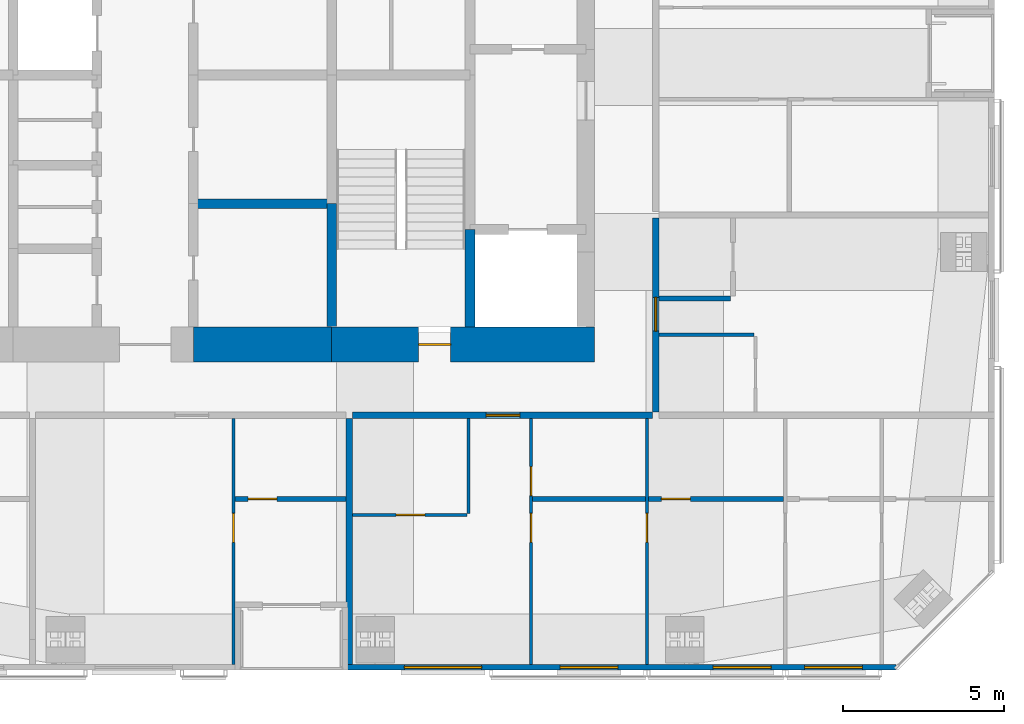
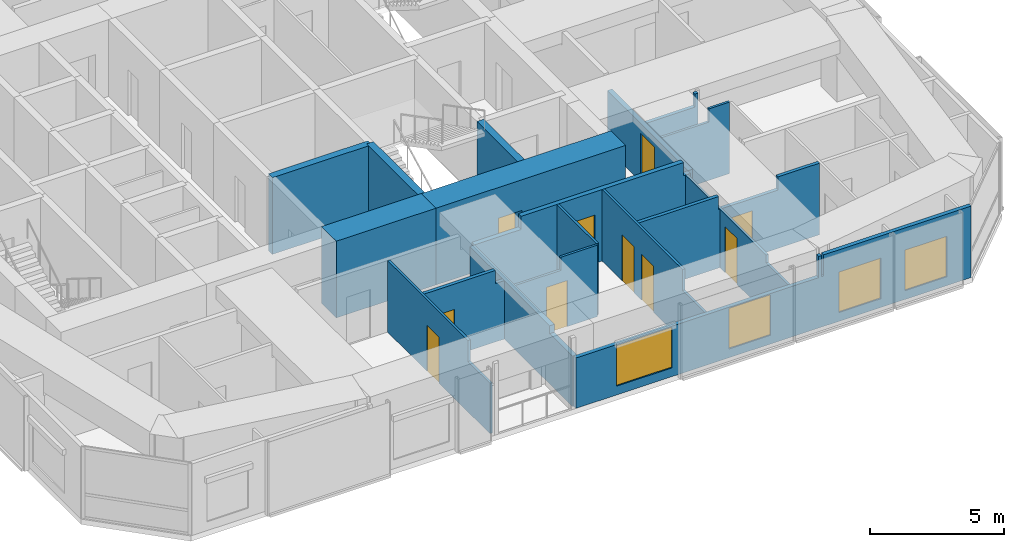
# One storey, part 15 of 20: 19 walls, 10 doors, 4 windows, 14 openings.
"""IFC4 building model written with IfcOpenShell, lengths in metres."""

from ifc_helpers import new_model, si_unit, direction, frame, frame_2d, origin, place, context, subcontext, project, spatial, polyline, rectangle, outline, extrude, material, layer, layer_set, constituent, constituent_set, type_object, element, fill, save


model = new_model("IFC4")

# Units and contexts
model_context = context("Model", 3, precision=1e-05, world=origin(), true_north=direction((0.0, 1.0)))
body_context = subcontext(model_context, "Body", "Model", "MODEL_VIEW")
ifc_project = project(units=[si_unit("LENGTHUNIT", "METRE"), si_unit("AREAUNIT", "SQUARE_METRE"), si_unit("VOLUMEUNIT", "CUBIC_METRE"), si_unit("PLANEANGLEUNIT", "RADIAN"), si_unit("MASSUNIT", "GRAM", prefix="KILO")], contexts=[model_context])

# Site, building, storey
site_placement = place(None, origin())
site = spatial("IfcSite", under=ifc_project, at=site_placement, CompositionType="ELEMENT")
building_placement = place(site_placement, origin())
building = spatial("IfcBuilding", under=site, at=building_placement, Name="Jalousie Tower", CompositionType="ELEMENT")
storey_placement = place(building_placement, frame((0.0, 0.0, 238.949951171875)))
storey = spatial("IfcBuildingStorey", under=building, at=storey_placement, Name="L65", CompositionType="ELEMENT", Elevation=238.949951171875)

# Wall, opening, door
ifc_material_1 = material(Name="Concrete block ASTM C90", Category="concrete")
ifc_constituent_1 = constituent(ifc_material_1, Name="Body")
ifc_material_2 = material(Name="Render")
ifc_constituent_2 = constituent(ifc_material_2, Name="Finish")
ifc_constituent_set_1 = constituent_set(constituents=[ifc_constituent_1, ifc_constituent_2])
wall_type_1 = type_object("IfcWallType", Name="BATHROOM WALL 150", PredefinedType="PLUMBINGWALL", material=ifc_constituent_set_1)
wall_1_placement = place(storey_placement, frame((32.89990234375, 5.324951171875, 0.0), z_axis=(0.0, 0.0, 1.0), x_axis=(1.0, 0.0, 0.0)))
wall_1 = element("IfcWall", 1, at=wall_1_placement, inside=storey, type_object=wall_type_1, Name="Bathroom Wall 150 L65", PredefinedType="PLUMBINGWALL", context=body_context, shape_type="SweptSolid", body=[
    extrude(outline(polyline([(0.0, 0.0), (3.4501953125, 0.0), (3.449951171875, 3.260009765625), (3.449951171875, 2.66015625), (3.06494140625, 2.66015625), (3.06494140625, 3.260009765625), (0.0, 3.260009765625), (0.0, 0.0)])), frame((0.0, 0.074951171875, 0.0), z_axis=(0.0, -1.0, 0.0), x_axis=(1.0, 0.0, 0.0)), (0.0, 0.0, 1.0), 0.14990234375),
])
opening_1_placement = place(wall_1_placement, frame((0.39990234375, 0.0, 0.0)))
opening_1 = element("IfcOpeningElement", 2, at=opening_1_placement, cuts=wall_1, Name="Opening D3", PredefinedType="OPENING", context=body_context, shape_type="SweptSolid", body=[
    extrude(rectangle(XDim=0.89990234375, YDim=2.10009765625, at=frame_2d((0.449951171875, 1.050048828125))), frame((0.0, 0.0849609375, 0.0), z_axis=(0.0, -1.0, 0.0), x_axis=(1.0, 0.0, 0.0)), (0.0, 0.0, 1.0), 0.169921875),
])
ifc_material_3 = material(Name="Timber door", Category="wood")
door_type_1 = type_object("IfcDoorType", Name="BATHROOM DOOR 900", OperationType="SINGLE_SWING_LEFT", PredefinedType="DOOR", material=ifc_material_3)
door_1_placement = place(opening_1_placement, origin())
door_1 = element("IfcDoor", 3, at=door_1_placement, inside=storey, type_object=door_type_1, Name="Apartment 6502 bedroom 1 bathroom door", OperationType="SINGLE_SWING_LEFT", OverallHeight=2.10009765625, OverallWidth=0.89990234375, PredefinedType="DOOR", context=body_context, shape_type="SweptSolid", body=[
    extrude(rectangle(XDim=0.89990234375, YDim=2.10009765625, at=frame_2d((0.449951171875, 1.050048828125))), frame((0.0, 0.02490234375, 0.0), z_axis=(0.0, -1.0, 0.0), x_axis=(1.0, 0.0, 0.0)), (0.0, 0.0, 1.0), 0.050048828125),
])
fill(opening_1, door_1)

# Wall
wall_2_placement = place(storey_placement, frame((42.14990234375, 5.324951171875, 0.0), z_axis=(0.0, 0.0, 1.0), x_axis=(1.0, 0.0, 0.0)))
element("IfcWall", 4, at=wall_2_placement, inside=storey, type_object=wall_type_1, Name="Bathroom Wall 150 L65", PredefinedType="PLUMBINGWALL", context=body_context, shape_type="SweptSolid", body=[
    extrude(outline(polyline([(0.0, 0.0), (3.5, 0.0), (3.5, 3.260009765625), (3.5, 2.66015625), (3.43994140625, 2.66015625), (3.43994140625, 3.260009765625), (0.0, 3.260009765625), (0.0, 0.0)])), frame((0.0, 0.074951171875, 0.0), z_axis=(0.0, -1.0, 0.0), x_axis=(1.0, 0.0, 0.0)), (0.0, 0.0, 1.0), 0.14990234375),
])

# Wall, opening, door
wall_3_placement = place(storey_placement, frame((45.75, 5.324951171875, 0.0), z_axis=(0.0, 0.0, 1.0), x_axis=(1.0, 0.0, 0.0)))
wall_3 = element("IfcWall", 5, at=wall_3_placement, inside=storey, type_object=wall_type_1, Name="Bathroom Wall 150 L65", PredefinedType="PLUMBINGWALL", context=body_context, shape_type="SweptSolid", body=[
    extrude(outline(polyline([(0.0, 0.0), (4.199951171875, 0.0), (4.199951171875, 3.260009765625), (2.409912109375, 3.260009765625), (2.409912109375, 2.66015625), (0.0, 2.66015625), (0.0, 3.260009765625), (0.0, 0.0)])), frame((0.0, 0.074951171875, 0.0), z_axis=(0.0, -1.0, 0.0), x_axis=(1.0, 0.0, 0.0)), (0.0, 0.0, 1.0), 0.14990234375),
])
opening_2_placement = place(wall_3_placement, frame((0.39990234375, 0.0, 0.0)))
opening_2 = element("IfcOpeningElement", 6, at=opening_2_placement, cuts=wall_3, Name="Opening D3", PredefinedType="OPENING", context=body_context, shape_type="SweptSolid", body=[
    extrude(rectangle(XDim=0.89990234375, YDim=2.10009765625, at=frame_2d((0.449951171875, 1.050048828125))), frame((0.0, 0.0849609375, 0.0), z_axis=(0.0, -1.0, 0.0), x_axis=(1.0, 0.0, 0.0)), (0.0, 0.0, 1.0), 0.169921875),
])
door_2_placement = place(opening_2_placement, origin())
door_2 = element("IfcDoor", 7, at=door_2_placement, inside=storey, type_object=door_type_1, Name="Apartment 6503 bedroom 2 bathroom door", OperationType="SINGLE_SWING_LEFT", OverallHeight=2.10009765625, OverallWidth=0.89990234375, PredefinedType="DOOR", context=body_context, shape_type="SweptSolid", body=[
    extrude(rectangle(XDim=0.89990234375, YDim=2.10009765625, at=frame_2d((0.449951171875, 1.050048828125))), frame((0.0, 0.02490234375, 0.0), z_axis=(0.0, -1.0, 0.0), x_axis=(1.0, 0.0, 0.0)), (0.0, 0.0, 1.0), 0.050048828125),
])
fill(opening_2, door_2)

# Walls
wall_4_placement = place(storey_placement, frame((48.300048828125, 11.550048828125, 0.0), z_axis=(0.0, 0.0, 1.0), x_axis=(-1.0, 0.0, 0.0)))
element("IfcWall", 8, at=wall_4_placement, inside=storey, type_object=wall_type_1, Name="Bathroom Wall 150 L65", PredefinedType="PLUMBINGWALL", context=body_context, shape_type="SweptSolid", body=[
    extrude(outline(polyline([(0.0, 0.0), (2.22509765625, 0.0), (2.22509765625, 3.260009765625), (2.22509765625, 2.66015625), (0.139892578125, 2.66015625), (0.139892578125, 3.260009765625), (0.0, 3.260009765625), (0.0, 0.0)])), frame((0.0, 0.074951171875, 0.0), z_axis=(0.0, -1.0, 0.0), x_axis=(1.0, 0.0, 0.0)), (0.0, 0.0, 1.0), 0.14990234375),
])
ifc_material_4 = material(Name="Concrete f'c 120 MPa", Category="concrete")
ifc_layer_1 = layer(ifc_material_4, 1.10009765625)
ifc_layer_set_1 = layer_set([ifc_layer_1], Name="Concrete f'c 120 MPa")
wall_type_2 = type_object("IfcWallType", Name="CORE WALL 1100", PredefinedType="SHEAR", material=ifc_layer_set_1)
wall_5_placement = place(storey_placement, frame((31.60009765625, 10.125, 0.0), z_axis=(0.0, 0.0, 1.0), x_axis=(1.0, 0.0, 0.0)))
element("IfcWall", 9, at=wall_5_placement, inside=storey, type_object=wall_type_2, Name="Core wall SC L65", PredefinedType="SHEAR", context=body_context, shape_type="SweptSolid", body=[
    extrude(rectangle(XDim=4.2998046875, YDim=1.10009765625, at=frame_2d((2.14990234375, 0.0))), origin(), (0.0, 0.0, 1.0), 3.5),
])

# Wall, opening, door
wall_6_placement = place(storey_placement, frame((35.89990234375, 10.125, 0.0), z_axis=(0.0, 0.0, 1.0), x_axis=(1.0, 0.0, 0.0)))
wall_6 = element("IfcWall", 10, at=wall_6_placement, inside=storey, type_object=wall_type_2, Name="Core wall SD L65", PredefinedType="SHEAR", context=body_context, shape_type="SweptSolid", body=[
    extrude(rectangle(XDim=8.175048828125, YDim=1.10009765625, at=frame_2d((4.08740234375, 0.0))), origin(), (0.0, 0.0, 1.0), 3.5),
])
opening_3_placement = place(wall_6_placement, frame((2.699951171875, 0.0, 0.0)))
opening_3 = element("IfcOpeningElement", 11, at=opening_3_placement, cuts=wall_6, Name="Opening D10", PredefinedType="OPENING", context=body_context, shape_type="SweptSolid", body=[
    extrude(rectangle(XDim=1.0, YDim=2.10009765625, at=frame_2d((0.5, 1.050048828125))), frame((0.0, 0.56005859375, 0.0), z_axis=(0.0, -1.0, 0.0), x_axis=(1.0, 0.0, 0.0)), (0.0, 0.0, 1.0), 1.1201171875),
])
ifc_material_5 = material(Name="Steel fire door", Category="steel")
door_type_2 = type_object("IfcDoorType", Name="STAIR DOOR 1000", OperationType="SINGLE_SWING_LEFT", PredefinedType="DOOR", material=ifc_material_5)
door_3_placement = place(opening_3_placement, origin())
door_3 = element("IfcDoor", 12, at=door_3_placement, inside=storey, type_object=door_type_2, Name="Exit stair C door", OperationType="SINGLE_SWING_RIGHT", OverallHeight=2.10009765625, OverallWidth=1.0, PredefinedType="DOOR", context=body_context, shape_type="SweptSolid", body=[
    extrude(rectangle(XDim=1.0, YDim=2.10009765625, at=frame_2d((0.5, 1.050048828125))), frame((0.0, 0.02490234375, 0.0), z_axis=(0.0, -1.0, 0.0), x_axis=(1.0, 0.0, 0.0)), (0.0, 0.0, 1.0), 0.050048828125),
])
fill(opening_3, door_3)

# Walls
ifc_material_6 = material(Name="Concrete f'c 120 MPa", Category="concrete")
ifc_layer_2 = layer(ifc_material_6, 0.300048828125)
ifc_layer_set_2 = layer_set([ifc_layer_2], Name="Concrete f'c 120 MPa")
wall_type_3 = type_object("IfcWallType", Name="CORE WALL 300", PredefinedType="SHEAR", material=ifc_layer_set_2)
wall_7_placement = place(storey_placement, frame((35.89990234375, 10.675048828125, 0.0), z_axis=(0.0, 0.0, 1.0), x_axis=(0.0, 1.0, 0.0)))
element("IfcWall", 13, at=wall_7_placement, inside=storey, type_object=wall_type_3, Name="Core wall X35.9A L65", PredefinedType="SHEAR", context=body_context, shape_type="SweptSolid", body=[
    extrude(rectangle(XDim=3.824951171875, YDim=0.300048828125, at=frame_2d((1.91259765625, 0.0))), origin(), (0.0, 0.0, 1.0), 3.5),
])
wall_8_placement = place(storey_placement, frame((40.199951171875, 10.675048828125, 0.0), z_axis=(0.0, 0.0, 1.0), x_axis=(0.0, 1.0, 0.0)))
element("IfcWall", 14, at=wall_8_placement, inside=storey, type_object=wall_type_3, Name="Core wall X40.2A L65", PredefinedType="SHEAR", context=body_context, shape_type="SweptSolid", body=[
    extrude(rectangle(XDim=3.02490234375, YDim=0.300048828125, at=frame_2d((1.512451171875, 0.0))), origin(), (0.0, 0.0, 1.0), 3.5),
])
wall_9_placement = place(storey_placement, frame((31.60009765625, 14.5, 0.0), z_axis=(0.0, 0.0, 1.0), x_axis=(1.0, 0.0, 0.0)))
element("IfcWall", 15, at=wall_9_placement, inside=storey, type_object=wall_type_3, Name="Core wall Y31.6-14.5 L65", PredefinedType="SHEAR", context=body_context, shape_type="SweptSolid", body=[
    extrude(rectangle(XDim=4.2998046875, YDim=0.300048828125, at=frame_2d((2.14990234375, 0.0))), origin(), (0.0, 0.0, 1.0), 3.5),
])

# Wall, opening, door
ifc_material_7 = material(Name="Concrete block ASTM C90", Category="concrete")
ifc_constituent_3 = constituent(ifc_material_7, Name="Body")
ifc_material_8 = material(Name="Render")
ifc_constituent_4 = constituent(ifc_material_8, Name="Finish")
ifc_constituent_set_2 = constituent_set(constituents=[ifc_constituent_3, ifc_constituent_4])
wall_type_4 = type_object("IfcWallType", Name="CORRIDOR WALL 200", PredefinedType="PARTITIONING", material=ifc_constituent_set_2)
wall_10_placement = place(storey_placement, frame((36.550048828125, 7.925048828125, 0.0), z_axis=(0.0, 0.0, 1.0), x_axis=(1.0, 0.0, 0.0)))
wall_10 = element("IfcWall", 16, at=wall_10_placement, inside=storey, type_object=wall_type_4, Name="Corridor Wall 200 L65", PredefinedType="PARTITIONING", context=body_context, shape_type="SweptSolid", body=[
    extrude(outline(polyline([(0.0, 0.0), (9.324951171875, 0.0), (9.324951171875, 3.260009765625), (9.324951171875, 2.66015625), (9.014892578125, 2.66015625), (9.014892578125, 3.260009765625), (2.010009765625, 3.260009765625), (2.010009765625, 2.66015625), (0.0, 2.66015625), (0.0, 3.260009765625), (0.0, 0.0)])), frame((0.0, 0.10009765625, 0.0), z_axis=(0.0, -1.0, 0.0), x_axis=(1.0, 0.0, 0.0)), (0.0, 0.0, 1.0), 0.199951171875),
])
opening_4_placement = place(wall_10_placement, frame((4.14990234375, 0.0, 0.0)))
opening_4 = element("IfcOpeningElement", 17, at=opening_4_placement, cuts=wall_10, Name="Opening D1", PredefinedType="OPENING", context=body_context, shape_type="SweptSolid", body=[
    extrude(rectangle(XDim=1.050048828125, YDim=2.199951171875, at=frame_2d((0.52490234375, 1.10009765625))), frame((0.0, 0.10986328125, 0.0), z_axis=(0.0, -1.0, 0.0), x_axis=(1.0, 0.0, 0.0)), (0.0, 0.0, 1.0), 0.219970703125),
])
ifc_material_9 = material(Name="Timber fire door", Category="wood")
door_type_3 = type_object("IfcDoorType", Name="APARTMENT ENTRANCE DOOR 1050", OperationType="SINGLE_SWING_LEFT", PredefinedType="DOOR", material=ifc_material_9)
door_4_placement = place(opening_4_placement, frame((1.050048828125, 0.0, 0.0), z_axis=(0.0, 0.0, 1.0), x_axis=(-1.0, 0.0, 0.0)))
door_4 = element("IfcDoor", 18, at=door_4_placement, inside=storey, type_object=door_type_3, Name="Apartment 6503 entrance", OperationType="SINGLE_SWING_LEFT", OverallHeight=2.199951171875, OverallWidth=1.050048828125, PredefinedType="DOOR", context=body_context, shape_type="SweptSolid", body=[
    extrude(rectangle(XDim=1.050048828125, YDim=2.199951171875, at=frame_2d((0.52490234375, 1.10009765625))), frame((0.0, 0.02490234375, 0.0), z_axis=(0.0, -1.0, 0.0), x_axis=(1.0, 0.0, 0.0)), (0.0, 0.0, 1.0), 0.050048828125),
])
fill(opening_4, door_4)

wall_11_placement = place(storey_placement, frame((45.97509765625, 8.02490234375, 0.0), z_axis=(0.0, 0.0, 1.0), x_axis=(0.0, 1.0, 0.0)))
wall_11 = element("IfcWall", 19, at=wall_11_placement, inside=storey, type_object=wall_type_4, Name="Corridor Wall 200 L65", PredefinedType="PARTITIONING", context=body_context, shape_type="SweptSolid", body=[
    extrude(outline(polyline([(0.0, 0.0), (6.025146484375, 0.0), (6.02490234375, 3.260009765625), (6.02490234375, 2.66015625), (5.0849609375, 2.66015625), (0.0, 2.66015625), (0.0, 3.260009765625), (0.0, 0.0)])), frame((0.0, 0.10009765625, 0.0), z_axis=(0.0, -1.0, 0.0), x_axis=(1.0, 0.0, 0.0)), (0.0, 0.0, 1.0), 0.199951171875),
])
opening_5_placement = place(wall_11_placement, frame((2.512451171875, 0.0, 0.0)))
opening_5 = element("IfcOpeningElement", 20, at=opening_5_placement, cuts=wall_11, Name="Opening D1", PredefinedType="OPENING", context=body_context, shape_type="SweptSolid", body=[
    extrude(rectangle(XDim=1.050048828125, YDim=2.199951171875, at=frame_2d((0.52490234375, 1.10009765625))), frame((0.0, 0.10986328125, 0.0), z_axis=(0.0, -1.0, 0.0), x_axis=(1.0, 0.0, 0.0)), (0.0, 0.0, 1.0), 0.219970703125),
])
door_5_placement = place(opening_5_placement, frame((1.050048828125, 0.0, 0.0), z_axis=(0.0, 0.0, 1.0), x_axis=(-1.0, 0.0, 0.0)))
door_5 = element("IfcDoor", 21, at=door_5_placement, inside=storey, type_object=door_type_3, Name="Apartment 6505 entrance", OperationType="SINGLE_SWING_RIGHT", OverallHeight=2.199951171875, OverallWidth=1.050048828125, PredefinedType="DOOR", context=body_context, shape_type="SweptSolid", body=[
    extrude(rectangle(XDim=1.050048828125, YDim=2.199951171875, at=frame_2d((0.52490234375, 1.10009765625))), frame((0.0, 0.02490234375, 0.0), z_axis=(0.0, -1.0, 0.0), x_axis=(1.0, 0.0, 0.0)), (0.0, 0.0, 1.0), 0.050048828125),
])
fill(opening_5, door_5)

# Wall, openings, windows
ifc_material_10 = material(Name="Concrete f'c 40 MPa", Category="concrete")
ifc_constituent_5 = constituent(ifc_material_10, Name="Body")
ifc_material_11 = material(Name="Render, pastel sky blue")
ifc_constituent_6 = constituent(ifc_material_11, Name="Finish")
ifc_constituent_set_3 = constituent_set(constituents=[ifc_constituent_5, ifc_constituent_6])
wall_type_5 = type_object("IfcWallType", Name="EXTERNAL WALL 175 SKY BLUE RENDER", PredefinedType="SOLIDWALL", material=ifc_constituent_set_3)
wall_12_placement = place(storey_placement, frame((36.39990234375, 0.08740234375, 0.0), z_axis=(0.0, 0.0, 1.0), x_axis=(1.0, 0.0, 0.0)))
wall_12 = element("IfcWall", 22, at=wall_12_placement, inside=storey, type_object=wall_type_5, Name="External Wall 175 Sky Blue Render L65", PredefinedType="SOLIDWALL", context=body_context, shape_type="SweptSolid", body=[
    extrude(outline(polyline([(0.0, 0.0), (17.048828125, 0.0), (17.048583984375, 3.260009765625), (10.689697265625, 3.260009765625), (10.689697265625, 2.300048828125), (10.606201171875, 2.300048828125), (10.606201171875, 3.260009765625), (10.47509765625, 3.260009765625), (10.47509765625, 2.300048828125), (0.0, 2.300048828125), (0.0, 0.0)])), frame((0.0, 0.08740234375, 0.0), z_axis=(0.0, -1.0, 0.0), x_axis=(1.0, 0.0, 0.0)), (0.0, 0.0, 1.0), 0.175048828125),
])
opening_6_placement = place(wall_12_placement, frame((1.760009765625, 0.0, 0.39990234375)))
opening_6 = element("IfcOpeningElement", 23, at=opening_6_placement, cuts=wall_12, Name="Opening W-LIV185", PredefinedType="OPENING", context=body_context, shape_type="SweptSolid", body=[
    extrude(rectangle(XDim=2.39990234375, YDim=1.85009765625, at=frame_2d((1.199951171875, 0.925048828125))), frame((0.0, 0.097412109375, 0.0), z_axis=(0.0, -1.0, 0.0), x_axis=(1.0, 0.0, 0.0)), (0.0, 0.0, 1.0), 0.195068359375),
])
opening_7_placement = place(wall_12_placement, frame((6.60009765625, 0.0, 0.39990234375)))
opening_7 = element("IfcOpeningElement", 24, at=opening_7_placement, cuts=wall_12, Name="Opening W-BED185", PredefinedType="OPENING", context=body_context, shape_type="SweptSolid", body=[
    extrude(rectangle(XDim=1.800048828125, YDim=1.85009765625, at=frame_2d((0.89990234375, 0.925048828125))), frame((0.0, 0.097412109375, 0.0), z_axis=(0.0, -1.0, 0.0), x_axis=(1.0, 0.0, 0.0)), (0.0, 0.0, 1.0), 0.195068359375),
])
opening_8_placement = place(wall_12_placement, frame((11.357421875, 0.0, 0.39990234375)))
opening_8 = element("IfcOpeningElement", 25, at=opening_8_placement, cuts=wall_12, Name="Opening W-BED185", PredefinedType="OPENING", context=body_context, shape_type="SweptSolid", body=[
    extrude(rectangle(XDim=1.800048828125, YDim=1.85009765625, at=frame_2d((0.89990234375, 0.925048828125))), frame((0.0, 0.097412109375, 0.0), z_axis=(0.0, -1.0, 0.0), x_axis=(1.0, 0.0, 0.0)), (0.0, 0.0, 1.0), 0.195068359375),
])
opening_9_placement = place(wall_12_placement, frame((14.199951171875, 0.0, 0.39990234375)))
opening_9 = element("IfcOpeningElement", 26, at=opening_9_placement, cuts=wall_12, Name="Opening W-BED185", PredefinedType="OPENING", context=body_context, shape_type="SweptSolid", body=[
    extrude(rectangle(XDim=1.800048828125, YDim=1.85009765625, at=frame_2d((0.89990234375, 0.925048828125))), frame((0.0, 0.097412109375, 0.0), z_axis=(0.0, -1.0, 0.0), x_axis=(1.0, 0.0, 0.0)), (0.0, 0.0, 1.0), 0.195068359375),
])
ifc_material_12 = material(Name="Aluminium frame, impact-rated glazing", Category="aluminium")
window_type_1 = type_object("IfcWindowType", Name="WINDOW BED 1800x1850", PartitioningType="SINGLE_PANEL", PredefinedType="WINDOW", material=ifc_material_12)
window_1_placement = place(opening_7_placement, origin())
window_1 = element("IfcWindow", 27, at=window_1_placement, inside=storey, type_object=window_type_1, Name="Apartment 6503 bedroom 1 window", OverallHeight=1.85009765625, OverallWidth=1.800048828125, PartitioningType="SINGLE_PANEL", PredefinedType="WINDOW", context=body_context, shape_type="SweptSolid", body=[
    extrude(rectangle(XDim=1.800048828125, YDim=1.85009765625, at=frame_2d((0.89990234375, 0.925048828125))), frame((0.0, 0.030029296875, 0.0), z_axis=(0.0, -1.0, 0.0), x_axis=(1.0, 0.0, 0.0)), (0.0, 0.0, 1.0), 0.06005859375),
])
fill(opening_7, window_1)
window_2_placement = place(opening_8_placement, origin())
window_2 = element("IfcWindow", 28, at=window_2_placement, inside=storey, type_object=window_type_1, Name="Apartment 6503 bedroom 2 window", OverallHeight=1.85009765625, OverallWidth=1.800048828125, PartitioningType="SINGLE_PANEL", PredefinedType="WINDOW", context=body_context, shape_type="SweptSolid", body=[
    extrude(rectangle(XDim=1.800048828125, YDim=1.85009765625, at=frame_2d((0.89990234375, 0.925048828125))), frame((0.0, 0.030029296875, 0.0), z_axis=(0.0, -1.0, 0.0), x_axis=(1.0, 0.0, 0.0)), (0.0, 0.0, 1.0), 0.06005859375),
])
fill(opening_8, window_2)
window_3_placement = place(opening_9_placement, origin())
window_3 = element("IfcWindow", 29, at=window_3_placement, inside=storey, type_object=window_type_1, Name="Apartment 6503 bedroom 3 window", OverallHeight=1.85009765625, OverallWidth=1.800048828125, PartitioningType="SINGLE_PANEL", PredefinedType="WINDOW", context=body_context, shape_type="SweptSolid", body=[
    extrude(rectangle(XDim=1.800048828125, YDim=1.85009765625, at=frame_2d((0.89990234375, 0.925048828125))), frame((0.0, 0.030029296875, 0.0), z_axis=(0.0, -1.0, 0.0), x_axis=(1.0, 0.0, 0.0)), (0.0, 0.0, 1.0), 0.06005859375),
])
fill(opening_9, window_3)
ifc_material_13 = material(Name="Aluminium frame, impact-rated glazing", Category="aluminium")
window_type_2 = type_object("IfcWindowType", Name="WINDOW LIV 2400x1850", PartitioningType="DOUBLE_PANEL_VERTICAL", PredefinedType="WINDOW", material=ifc_material_13)
window_4_placement = place(opening_6_placement, origin())
window_4 = element("IfcWindow", 30, at=window_4_placement, inside=storey, type_object=window_type_2, Name="Apartment 6503 living and dining room window", OverallHeight=1.85009765625, OverallWidth=2.39990234375, PartitioningType="SINGLE_PANEL", PredefinedType="WINDOW", context=body_context, shape_type="SweptSolid", body=[
    extrude(rectangle(XDim=2.39990234375, YDim=1.85009765625, at=frame_2d((1.199951171875, 0.925048828125))), frame((0.0, 0.030029296875, 0.0), z_axis=(0.0, -1.0, 0.0), x_axis=(1.0, 0.0, 0.0)), (0.0, 0.0, 1.0), 0.06005859375),
])
fill(opening_6, window_4)

# Wall, opening, door
ifc_material_14 = material(Name="Gypsum board", Category="gypsum")
ifc_constituent_7 = constituent(ifc_material_14, Name="Body")
ifc_material_15 = material(Name="Light-gauge steel studs ASTM A653 SS Grade 33", Category="steel")
ifc_constituent_8 = constituent(ifc_material_15, Name="Framing")
ifc_constituent_set_4 = constituent_set(constituents=[ifc_constituent_7, ifc_constituent_8])
wall_type_6 = type_object("IfcWallType", Name="PARTITION 100", PredefinedType="PARTITIONING", material=ifc_constituent_set_4)
wall_13_placement = place(storey_placement, frame((32.85009765625, 0.175048828125, 0.0), z_axis=(0.0, 0.0, 1.0), x_axis=(0.0, 1.0, 0.0)))
wall_13 = element("IfcWall", 31, at=wall_13_placement, inside=storey, type_object=wall_type_6, Name="Partition 100 L65", PredefinedType="PARTITIONING", context=body_context, shape_type="SweptSolid", body=[
    extrude(outline(polyline([(0.0, 0.0), (7.64990234375, 0.0), (7.64990234375, 3.260009765625), (1.635009765625, 3.260009765625), (1.635009765625, 2.300048828125), (0.0, 2.300048828125), (0.0, 3.260009765625), (0.0, 0.0)])), frame((0.0, 0.050048828125, 0.0), z_axis=(0.0, -1.0, 0.0), x_axis=(1.0, 0.0, 0.0)), (0.0, 0.0, 1.0), 0.10009765625),
])
opening_10_placement = place(wall_13_placement, frame((3.800048828125, 0.0, 0.0)))
opening_10 = element("IfcOpeningElement", 32, at=opening_10_placement, cuts=wall_13, Name="Opening D2", PredefinedType="OPENING", context=body_context, shape_type="SweptSolid", body=[
    extrude(rectangle(XDim=0.89990234375, YDim=2.10009765625, at=frame_2d((0.449951171875, 1.050048828125))), frame((0.0, 0.06005859375, 0.0), z_axis=(0.0, -1.0, 0.0), x_axis=(1.0, 0.0, 0.0)), (0.0, 0.0, 1.0), 0.1201171875),
])
ifc_material_16 = material(Name="Timber door", Category="wood")
door_type_4 = type_object("IfcDoorType", Name="BEDROOM DOOR 900", OperationType="SINGLE_SWING_LEFT", PredefinedType="DOOR", material=ifc_material_16)
door_6_placement = place(opening_10_placement, frame((0.89990234375, 0.0, 0.0), z_axis=(0.0, 0.0, 1.0), x_axis=(-1.0, 0.0, 0.0)))
door_6 = element("IfcDoor", 33, at=door_6_placement, inside=storey, type_object=door_type_4, Name="Apartment 6502 bedroom 1 door", OperationType="SINGLE_SWING_LEFT", OverallHeight=2.10009765625, OverallWidth=0.89990234375, PredefinedType="DOOR", context=body_context, shape_type="SweptSolid", body=[
    extrude(rectangle(XDim=0.89990234375, YDim=2.10009765625, at=frame_2d((0.449951171875, 1.050048828125))), frame((0.0, 0.02490234375, 0.0), z_axis=(0.0, -1.0, 0.0), x_axis=(1.0, 0.0, 0.0)), (0.0, 0.0, 1.0), 0.050048828125),
])
fill(opening_10, door_6)

# Wall, openings, doors
wall_14_placement = place(storey_placement, frame((42.10009765625, 0.175048828125, 0.0), z_axis=(0.0, 0.0, 1.0), x_axis=(0.0, 1.0, 0.0)))
wall_14 = element("IfcWall", 34, at=wall_14_placement, inside=storey, type_object=wall_type_6, Name="Partition 100 L65", PredefinedType="PARTITIONING", context=body_context, shape_type="SweptSolid", body=[
    extrude(outline(polyline([(0.0, 0.0), (7.64990234375, 0.0), (7.64990234375, 3.260009765625), (1.635009765625, 3.260009765625), (1.635009765625, 2.300048828125), (0.0, 2.300048828125), (0.0, 3.260009765625), (0.0, 0.0)])), frame((0.0, 0.050048828125, 0.0), z_axis=(0.0, -1.0, 0.0), x_axis=(1.0, 0.0, 0.0)), (0.0, 0.0, 1.0), 0.10009765625),
])
opening_11_placement = place(wall_14_placement, frame((3.800048828125, 0.0, 0.0)))
opening_11 = element("IfcOpeningElement", 35, at=opening_11_placement, cuts=wall_14, Name="Opening D2", PredefinedType="OPENING", context=body_context, shape_type="SweptSolid", body=[
    extrude(rectangle(XDim=0.89990234375, YDim=2.10009765625, at=frame_2d((0.449951171875, 1.050048828125))), frame((0.0, 0.06005859375, 0.0), z_axis=(0.0, -1.0, 0.0), x_axis=(1.0, 0.0, 0.0)), (0.0, 0.0, 1.0), 0.1201171875),
])
opening_12_placement = place(wall_14_placement, frame((5.25, 0.0, 0.0)))
opening_12 = element("IfcOpeningElement", 36, at=opening_12_placement, cuts=wall_14, Name="Opening D7", PredefinedType="OPENING", context=body_context, shape_type="SweptSolid", body=[
    extrude(rectangle(XDim=0.89990234375, YDim=2.10009765625, at=frame_2d((0.449951171875, 1.050048828125))), frame((0.0, 0.06005859375, 0.0), z_axis=(0.0, -1.0, 0.0), x_axis=(1.0, 0.0, 0.0)), (0.0, 0.0, 1.0), 0.1201171875),
])
door_7_placement = place(opening_11_placement, frame((0.89990234375, 0.0, 0.0), z_axis=(0.0, 0.0, 1.0), x_axis=(-1.0, 0.0, 0.0)))
door_7 = element("IfcDoor", 37, at=door_7_placement, inside=storey, type_object=door_type_4, Name="Apartment 6503 bedroom 1 door", OperationType="SINGLE_SWING_LEFT", OverallHeight=2.10009765625, OverallWidth=0.89990234375, PredefinedType="DOOR", context=body_context, shape_type="SweptSolid", body=[
    extrude(rectangle(XDim=0.89990234375, YDim=2.10009765625, at=frame_2d((0.449951171875, 1.050048828125))), frame((0.0, 0.02490234375, 0.0), z_axis=(0.0, -1.0, 0.0), x_axis=(1.0, 0.0, 0.0)), (0.0, 0.0, 1.0), 0.050048828125),
])
fill(opening_11, door_7)
ifc_material_17 = material(Name="Timber door", Category="wood")
door_type_5 = type_object("IfcDoorType", Name="INTERNAL DOOR 900", OperationType="SINGLE_SWING_LEFT", PredefinedType="DOOR", material=ifc_material_17)
door_8_placement = place(opening_12_placement, frame((0.89990234375, 0.0, 0.0), z_axis=(0.0, 0.0, 1.0), x_axis=(-1.0, 0.0, 0.0)))
door_8 = element("IfcDoor", 38, at=door_8_placement, inside=storey, type_object=door_type_5, Name="Apartment 6503 bathroom door", OperationType="SINGLE_SWING_RIGHT", OverallHeight=2.10009765625, OverallWidth=0.89990234375, PredefinedType="DOOR", context=body_context, shape_type="SweptSolid", body=[
    extrude(rectangle(XDim=0.89990234375, YDim=2.10009765625, at=frame_2d((0.449951171875, 1.050048828125))), frame((0.0, 0.02490234375, 0.0), z_axis=(0.0, -1.0, 0.0), x_axis=(1.0, 0.0, 0.0)), (0.0, 0.0, 1.0), 0.050048828125),
])
fill(opening_12, door_8)

# Wall, opening, door
wall_15_placement = place(storey_placement, frame((45.699951171875, 0.175048828125, 0.0), z_axis=(0.0, 0.0, 1.0), x_axis=(0.0, 1.0, 0.0)))
wall_15 = element("IfcWall", 39, at=wall_15_placement, inside=storey, type_object=wall_type_6, Name="Partition 100 L65", PredefinedType="PARTITIONING", context=body_context, shape_type="SweptSolid", body=[
    extrude(outline(polyline([(0.0, 0.0), (7.64990234375, 0.0), (7.64990234375, 3.260009765625), (7.64990234375, 2.66015625), (1.635009765625, 2.66015625), (1.635009765625, 2.300048828125), (0.0, 2.300048828125), (0.0, 3.260009765625), (0.0, 0.0)])), frame((0.0, 0.050048828125, 0.0), z_axis=(0.0, -1.0, 0.0), x_axis=(1.0, 0.0, 0.0)), (0.0, 0.0, 1.0), 0.10009765625),
])
opening_13_placement = place(wall_15_placement, frame((3.800048828125, 0.0, 0.0)))
opening_13 = element("IfcOpeningElement", 40, at=opening_13_placement, cuts=wall_15, Name="Opening D2", PredefinedType="OPENING", context=body_context, shape_type="SweptSolid", body=[
    extrude(rectangle(XDim=0.89990234375, YDim=2.10009765625, at=frame_2d((0.449951171875, 1.050048828125))), frame((0.0, 0.06005859375, 0.0), z_axis=(0.0, -1.0, 0.0), x_axis=(1.0, 0.0, 0.0)), (0.0, 0.0, 1.0), 0.1201171875),
])
door_9_placement = place(opening_13_placement, frame((0.89990234375, 0.0, 0.0), z_axis=(0.0, 0.0, 1.0), x_axis=(-1.0, 0.0, 0.0)))
door_9 = element("IfcDoor", 41, at=door_9_placement, inside=storey, type_object=door_type_4, Name="Apartment 6503 bedroom 2 door", OperationType="SINGLE_SWING_LEFT", OverallHeight=2.10009765625, OverallWidth=0.89990234375, PredefinedType="DOOR", context=body_context, shape_type="SweptSolid", body=[
    extrude(rectangle(XDim=0.89990234375, YDim=2.10009765625, at=frame_2d((0.449951171875, 1.050048828125))), frame((0.0, 0.02490234375, 0.0), z_axis=(0.0, -1.0, 0.0), x_axis=(1.0, 0.0, 0.0)), (0.0, 0.0, 1.0), 0.050048828125),
])
fill(opening_13, door_9)

wall_16_placement = place(storey_placement, frame((36.550048828125, 4.824951171875, 0.0), z_axis=(0.0, 0.0, 1.0), x_axis=(1.0, 0.0, 0.0)))
wall_16 = element("IfcWall", 42, at=wall_16_placement, inside=storey, type_object=wall_type_6, Name="Partition 100 L65", PredefinedType="PARTITIONING", context=body_context, shape_type="SweptSolid", body=[
    extrude(outline(polyline([(0.0, 0.0), (3.550048828125, 0.0), (3.550048828125, 3.260009765625), (1.9599609375, 3.260009765625), (1.9599609375, 2.66015625), (0.0, 2.66015625), (0.0, 3.260009765625), (0.0, 0.0)])), frame((0.0, 0.050048828125, 0.0), z_axis=(0.0, -1.0, 0.0), x_axis=(1.0, 0.0, 0.0)), (0.0, 0.0, 1.0), 0.10009765625),
])
opening_14_placement = place(wall_16_placement, frame((1.35009765625, 0.0, 0.0)))
opening_14 = element("IfcOpeningElement", 43, at=opening_14_placement, cuts=wall_16, Name="Opening D7", PredefinedType="OPENING", context=body_context, shape_type="SweptSolid", body=[
    extrude(rectangle(XDim=0.89990234375, YDim=2.10009765625, at=frame_2d((0.449951171875, 1.050048828125))), frame((0.0, 0.06005859375, 0.0), z_axis=(0.0, -1.0, 0.0), x_axis=(1.0, 0.0, 0.0)), (0.0, 0.0, 1.0), 0.1201171875),
])
door_10_placement = place(opening_14_placement, frame((0.89990234375, 0.0, 0.0), z_axis=(0.0, 0.0, 1.0), x_axis=(-1.0, 0.0, 0.0)))
door_10 = element("IfcDoor", 44, at=door_10_placement, inside=storey, type_object=door_type_5, Name="Apartment 6503 kitchen door", OperationType="SINGLE_SWING_RIGHT", OverallHeight=2.10009765625, OverallWidth=0.89990234375, PredefinedType="DOOR", context=body_context, shape_type="SweptSolid", body=[
    extrude(rectangle(XDim=0.89990234375, YDim=2.10009765625, at=frame_2d((0.449951171875, 1.050048828125))), frame((0.0, 0.02490234375, 0.0), z_axis=(0.0, -1.0, 0.0), x_axis=(1.0, 0.0, 0.0)), (0.0, 0.0, 1.0), 0.050048828125),
])
fill(opening_14, door_10)

# Walls
wall_17_placement = place(storey_placement, frame((40.14990234375, 4.875, 0.0), z_axis=(0.0, 0.0, 1.0), x_axis=(0.0, 1.0, 0.0)))
element("IfcWall", 45, at=wall_17_placement, inside=storey, type_object=wall_type_6, Name="Partition 100 L65", PredefinedType="PARTITIONING", context=body_context, shape_type="SweptSolid", body=[
    extrude(rectangle(XDim=2.949951171875, YDim=0.10009765625, at=frame_2d((1.47509765625, 0.0))), origin(), (0.0, 0.0, 1.0), 3.260009765625),
])
wall_18_placement = place(storey_placement, frame((49.02490234375, 10.425048828125, 0.0), z_axis=(0.0, 0.0, 1.0), x_axis=(-1.0, 0.0, 0.0)))
element("IfcWall", 46, at=wall_18_placement, inside=storey, type_object=wall_type_6, Name="Partition 100 L65", PredefinedType="PARTITIONING", context=body_context, shape_type="SweptSolid", body=[
    extrude(outline(polyline([(0.0, 0.0), (2.949951171875, 0.0), (2.949951171875, 3.260009765625), (2.949951171875, 2.66015625), (0.889892578125, 2.66015625), (0.889892578125, 3.260009765625), (0.0, 3.260009765625), (0.0, 0.0)])), frame((0.0, 0.050048828125, 0.0), z_axis=(0.0, -1.0, 0.0), x_axis=(1.0, 0.0, 0.0)), (0.0, 0.0, 1.0), 0.10009765625),
])
ifc_material_18 = material(Name="Concrete block ASTM C90", Category="concrete")
ifc_constituent_9 = constituent(ifc_material_18, Name="Body")
ifc_material_19 = material(Name="Render")
ifc_constituent_10 = constituent(ifc_material_19, Name="Finish")
ifc_constituent_set_5 = constituent_set(constituents=[ifc_constituent_9, ifc_constituent_10])
wall_type_7 = type_object("IfcWallType", Name="PARTY WALL 200", PredefinedType="PARTITIONING", material=ifc_constituent_set_5)
wall_19_placement = place(storey_placement, frame((36.449951171875, 0.175048828125, 0.0), z_axis=(0.0, 0.0, 1.0), x_axis=(0.0, 1.0, 0.0)))
element("IfcWall", 47, at=wall_19_placement, inside=storey, type_object=wall_type_7, Name="Party Wall 200 L65", PredefinedType="PARTITIONING", context=body_context, shape_type="SweptSolid", body=[
    extrude(outline(polyline([(0.0, 0.0), (7.64990234375, 0.0), (7.64990234375, 3.260009765625), (7.64990234375, 2.66015625), (1.68505859375, 2.66015625), (1.68505859375, 2.300048828125), (0.0, 2.300048828125), (0.0, 3.260009765625), (0.0, 0.0)])), frame((0.0, 0.10009765625, 0.0), z_axis=(0.0, -1.0, 0.0), x_axis=(1.0, 0.0, 0.0)), (0.0, 0.0, 1.0), 0.199951171875),
])

save(model, "model.ifc")
